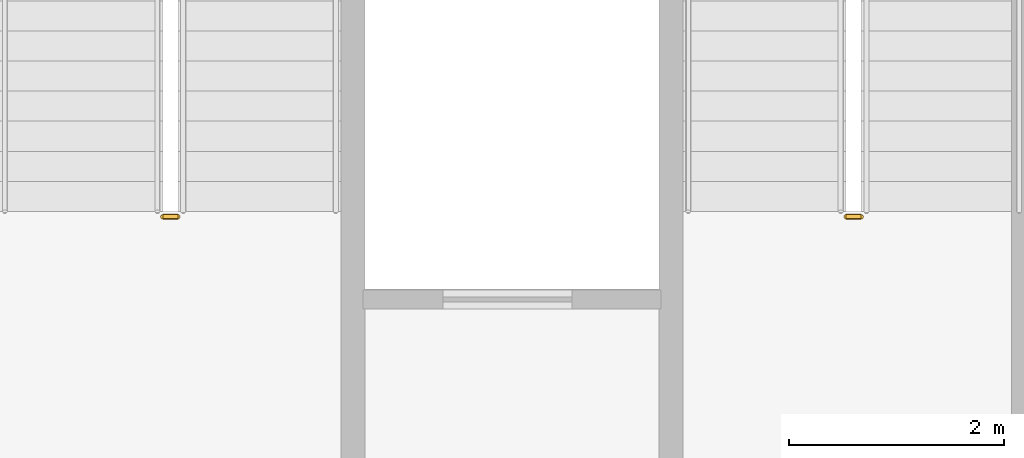
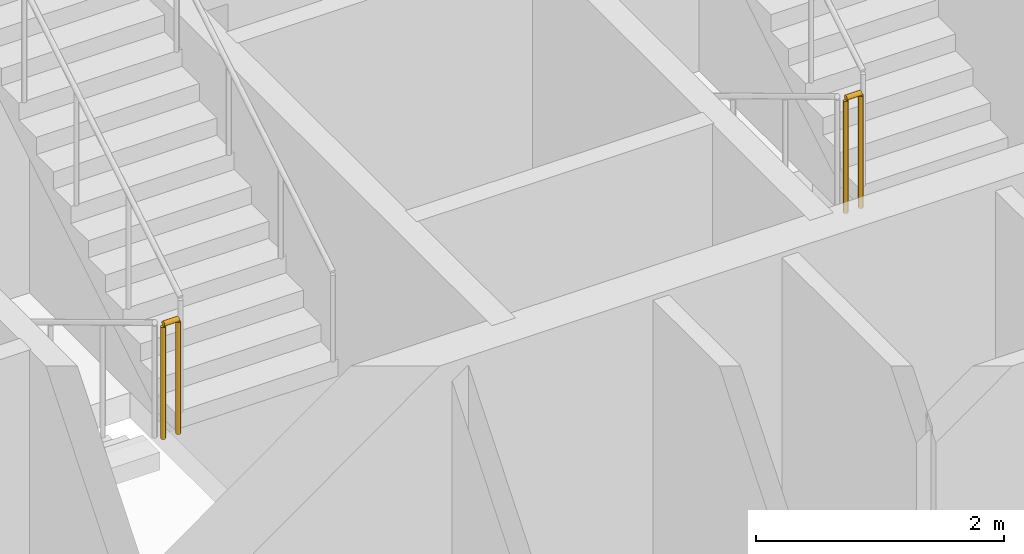
# One storey, part 16 of 19: 2 railings.
"""IFC4 building model written with IfcOpenShell, lengths in metres."""

from ifc_helpers import new_model, si_unit, direction, frame, origin, origin_2d, place, context, subcontext, project, spatial, circle, extrude, material, type_object, element, save


model = new_model("IFC4")

# Units and contexts
model_context = context("Model", 3, precision=1e-05, world=origin(), true_north=direction((0.0, 1.0)))
body_context = subcontext(model_context, "Body", "Model", "MODEL_VIEW")
ifc_project = project(units=[si_unit("LENGTHUNIT", "METRE"), si_unit("AREAUNIT", "SQUARE_METRE"), si_unit("VOLUMEUNIT", "CUBIC_METRE"), si_unit("PLANEANGLEUNIT", "RADIAN"), si_unit("MASSUNIT", "GRAM", prefix="KILO")], contexts=[model_context])

# Site, building, storey
site_placement = place(None, origin())
site = spatial("IfcSite", under=ifc_project, at=site_placement, CompositionType="ELEMENT")
building_placement = place(site_placement, origin())
building = spatial("IfcBuilding", under=site, at=building_placement, Name="Haolan Belvedere Tower", CompositionType="ELEMENT")
storey_placement = place(building_placement, frame((0.0, 0.0, 94.0)))
storey = spatial("IfcBuildingStorey", under=building, at=storey_placement, Name="L23", CompositionType="ELEMENT", Elevation=94.0)

# Railings
ifc_material = material(Name="Brushed stainless steel 304", Category="steel")
railing_type = type_object("IfcRailingType", Name="RL-STAIR-GRD-1150", PredefinedType="GUARDRAIL", material=ifc_material)
railing_1_placement = place(storey_placement, frame((38.330078125, 37.820068359375, 2.199951171875)))
element("IfcRailing", 1, at=railing_1_placement, inside=storey, type_object=railing_type, Name="L23 ST3 stair guard 2", PredefinedType="GUARDRAIL", context=body_context, shape_type="SweptSolid", body=[
    extrude(circle(Radius=0.02392578125, at=origin_2d()), frame((0.0, 0.0, 1.1259765625), z_axis=(1.0, 0.0, 0.0), x_axis=(0.0, 1.0, 0.0)), (0.0, 0.0, 1.0), 0.139892578125),
    extrude(circle(Radius=0.02099609375, at=origin_2d()), origin(), (0.0, 0.0, 1.0), 1.101806640625),
    extrude(circle(Radius=0.02099609375, at=origin_2d()), frame((0.139892578125, 0.0, 0.0)), (0.0, 0.0, 1.0), 1.101806640625),
])
railing_2_placement = place(storey_placement, frame((44.68994140625, 37.820068359375, 2.199951171875)))
element("IfcRailing", 2, at=railing_2_placement, inside=storey, type_object=railing_type, Name="L23 ST2 stair guard 2", PredefinedType="GUARDRAIL", context=body_context, shape_type="SweptSolid", body=[
    extrude(circle(Radius=0.02392578125, at=origin_2d()), frame((0.0, 0.0, 1.1259765625), z_axis=(1.0, 0.0, 0.0), x_axis=(0.0, 1.0, 0.0)), (0.0, 0.0, 1.0), 0.14013671875),
    extrude(circle(Radius=0.02099609375, at=origin_2d()), origin(), (0.0, 0.0, 1.0), 1.101806640625),
    extrude(circle(Radius=0.02099609375, at=origin_2d()), frame((0.14013671875, 0.0, 0.0)), (0.0, 0.0, 1.0), 1.101806640625),
])

save(model, "model.ifc")
